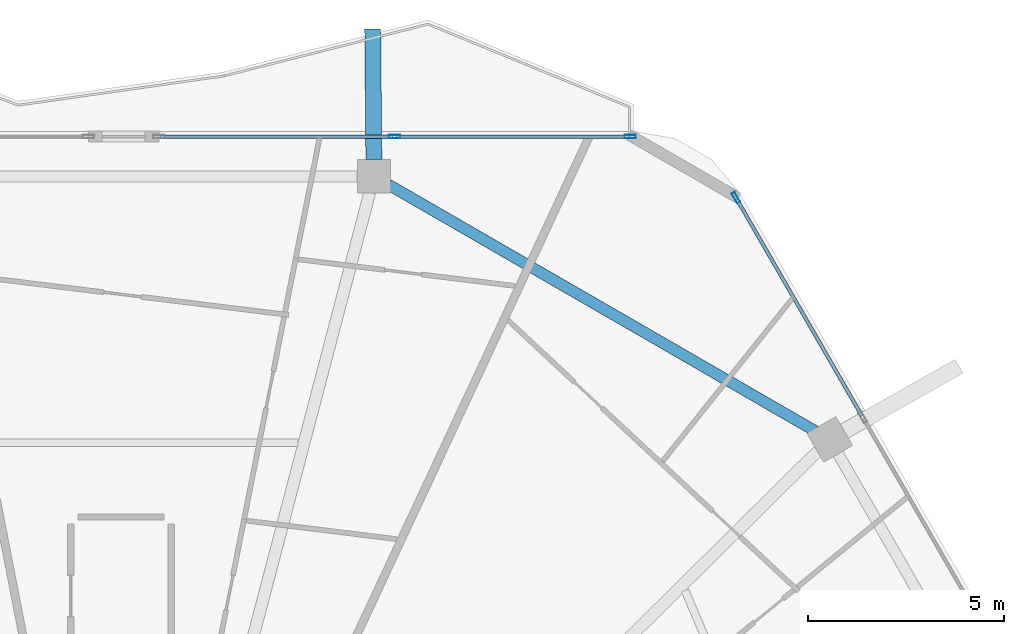
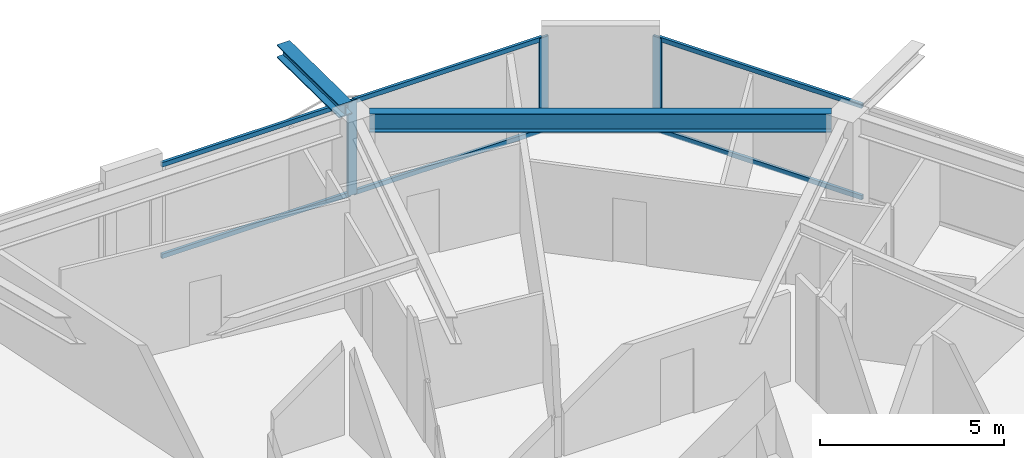
# One storey, part 17 of 27: 9 members, 2 beams, 2 elements without a shape of their own.
"""IFC4 building model written with IfcOpenShell, lengths in metres."""

from ifc_helpers import new_model, si_unit, direction, frame, origin, origin_2d, place, context, subcontext, project, spatial, hollow_rectangle, i_section, extrude, material, material_profile, profile_set, type_object, element, aggregate, save


model = new_model("IFC4")

# Units and contexts
model_context = context("Model", 3, precision=1e-05, world=origin(), true_north=direction((0.0, 1.0)))
body_context = subcontext(model_context, "Body", "Model", "MODEL_VIEW")
ifc_project = project(units=[si_unit("LENGTHUNIT", "METRE"), si_unit("AREAUNIT", "SQUARE_METRE"), si_unit("VOLUMEUNIT", "CUBIC_METRE"), si_unit("PLANEANGLEUNIT", "RADIAN"), si_unit("MASSUNIT", "GRAM", prefix="KILO")], contexts=[model_context])

# Site, building, storey
site_placement = place(None, origin())
site = spatial("IfcSite", under=ifc_project, at=site_placement, CompositionType="ELEMENT")
building_placement = place(site_placement, origin())
building = spatial("IfcBuilding", under=site, at=building_placement, Name="Zuhravey Tower", CompositionType="ELEMENT")
storey_placement = place(building_placement, frame((0.0, 0.0, 265.39990234375)))
storey = spatial("IfcBuildingStorey", under=building, at=storey_placement, Name="L67", CompositionType="ELEMENT", Elevation=265.39990234375)

# Curtain wall, members
ifc_material_1 = material(Name="Thermally broken anodised aluminium", Category="aluminium")
curtain_wall_type = type_object("IfcCurtainWallType", Name="Zone 3-4 High-Rise Curtain Wall CW4", PredefinedType="NOTDEFINED", material=ifc_material_1)
curtain_wall_1_placement = place(storey_placement, origin())
curtain_wall_1 = element("IfcCurtainWall", 1, at=curtain_wall_1_placement, inside=storey, type_object=curtain_wall_type, Name="L67 CW4 CW-L67-F2-2", PredefinedType="NOTDEFINED")
ifc_material_2 = material(Name="Anodised aluminium", Category="aluminium")
ifc_material_profile_1 = material_profile(ifc_material_2, hollow_rectangle(XDim=0.090087890625, YDim=0.284912109375, WallThickness=0.0048828125, at=origin_2d()), Name="ALU-RHS-90x285x5")
ifc_profile_set_1 = profile_set([ifc_material_profile_1], Name="Anodised aluminium")
member_type_1 = type_object("IfcMemberType", Name="Curtain-Wall Mullion 90x180", PredefinedType="MULLION", material=ifc_profile_set_1)
member_1_placement = place(storey_placement, frame((42.964599609375, 57.563720703125, 0.0), z_axis=(0.0, 0.0, 1.0), x_axis=(0.0, 1.0, 0.0)))
member_1 = element("IfcMember", 2, at=member_1_placement, type_object=member_type_1, Name="CW4 mullion 2", PredefinedType="MULLION", context=body_context, shape_type="SweptSolid", body=[
    extrude(hollow_rectangle(XDim=0.090087890625, YDim=0.284912109375, WallThickness=0.0048828125, at=origin_2d()), origin(), (0.0, 0.0, 1.0), 3.1220703125),
])
member_2_placement = place(storey_placement, frame((48.9677734375, 57.563720703125, 0.0), z_axis=(0.0, 0.0, 1.0), x_axis=(0.0, 1.0, 0.0)))
member_2 = element("IfcMember", 3, at=member_2_placement, type_object=member_type_1, Name="CW4 mullion 3", PredefinedType="MULLION", context=body_context, shape_type="SweptSolid", body=[
    extrude(hollow_rectangle(XDim=0.090087890625, YDim=0.284912109375, WallThickness=0.0048828125, at=origin_2d()), origin(), (0.0, 0.0, 1.0), 3.1220703125),
])

# Curtain wall, member
curtain_wall_2_placement = place(storey_placement, origin())
curtain_wall_2 = element("IfcCurtainWall", 4, at=curtain_wall_2_placement, inside=storey, type_object=curtain_wall_type, Name="L67 CW4 CW-L67-F1-1", PredefinedType="NOTDEFINED")
member_3_placement = place(storey_placement, frame((51.65478515625, 56.01220703125, 0.0), z_axis=(0.0, 0.0, 1.0), x_axis=(0.866024851021, 0.500000957414, 0.0)))
member_3 = element("IfcMember", 5, at=member_3_placement, type_object=member_type_1, Name="CW4 mullion 1", PredefinedType="MULLION", context=body_context, shape_type="SweptSolid", body=[
    extrude(hollow_rectangle(XDim=0.090087890625, YDim=0.284912109375, WallThickness=0.0048828125, at=origin_2d()), origin(), (0.0, 0.0, 1.0), 3.1220703125),
])

# Member
ifc_material_profile_2 = material_profile(ifc_material_2, hollow_rectangle(XDim=0.090087890625, YDim=0.14990234375, WallThickness=0.0048828125, at=origin_2d()), Name="ALU-RHS-90x150x5")
ifc_profile_set_2 = profile_set([ifc_material_profile_2], Name="Anodised aluminium")
member_type_2 = type_object("IfcMemberType", Name="Curtain-Wall Transom 90x150", PredefinedType="USERDEFINED", material=ifc_profile_set_2)
member_4_placement = place(storey_placement, frame((37.006591796875, 57.563720703125, 0.045166015625), z_axis=(1.0, 0.0, 0.0), x_axis=(0.0, 1.0, 0.0)))
member_4 = element("IfcMember", 6, at=member_4_placement, type_object=member_type_2, Name="CW4 transom 1.1", ObjectType="TRANSOM", PredefinedType="USERDEFINED", context=body_context, shape_type="SweptSolid", body=[
    extrude(hollow_rectangle(XDim=0.090087890625, YDim=0.14990234375, WallThickness=0.0048828125, at=origin_2d()), origin(), (0.0, 0.0, 1.0), 5.9130859375),
])

member_5_placement = place(storey_placement, frame((37.006591796875, 57.563720703125, 3.0771484375), z_axis=(1.0, 0.0, 0.0), x_axis=(0.0, 1.0, 0.0)))
member_5 = element("IfcMember", 7, at=member_5_placement, type_object=member_type_2, Name="CW4 transom 1.2", ObjectType="TRANSOM", PredefinedType="USERDEFINED", context=body_context, shape_type="SweptSolid", body=[
    extrude(hollow_rectangle(XDim=0.090087890625, YDim=0.14990234375, WallThickness=0.0048828125, at=origin_2d()), origin(), (0.0, 0.0, 1.0), 5.9130859375),
])

member_6_placement = place(storey_placement, frame((43.009521484375, 57.563720703125, 0.045166015625), z_axis=(1.0, 0.0, 0.0), x_axis=(0.0, 1.0, 0.0)))
member_6 = element("IfcMember", 8, at=member_6_placement, type_object=member_type_2, Name="CW4 transom 2.1", ObjectType="TRANSOM", PredefinedType="USERDEFINED", context=body_context, shape_type="SweptSolid", body=[
    extrude(hollow_rectangle(XDim=0.090087890625, YDim=0.14990234375, WallThickness=0.0048828125, at=origin_2d()), origin(), (0.0, 0.0, 1.0), 5.9130859375),
])

member_7_placement = place(storey_placement, frame((43.009521484375, 57.563720703125, 3.0771484375), z_axis=(1.0, 0.0, 0.0), x_axis=(0.0, 1.0, 0.0)))
member_7 = element("IfcMember", 9, at=member_7_placement, type_object=member_type_2, Name="CW4 transom 2.2", ObjectType="TRANSOM", PredefinedType="USERDEFINED", context=body_context, shape_type="SweptSolid", body=[
    extrude(hollow_rectangle(XDim=0.090087890625, YDim=0.14990234375, WallThickness=0.0048828125, at=origin_2d()), origin(), (0.0, 0.0, 1.0), 5.9130859375),
])

aggregate(curtain_wall_1, [member_1, member_2, member_4, member_5, member_6, member_7])

member_8_placement = place(storey_placement, frame((51.677490234375, 55.97314453125, 0.045166015625), z_axis=(0.499980071345, -0.866036909293, 0.0), x_axis=(0.866036909293, 0.499980071345, 0.0)))
member_8 = element("IfcMember", 10, at=member_8_placement, type_object=member_type_2, Name="CW4 transom 1.1", ObjectType="TRANSOM", PredefinedType="USERDEFINED", context=body_context, shape_type="SweptSolid", body=[
    extrude(hollow_rectangle(XDim=0.090087890625, YDim=0.14990234375, WallThickness=0.0048828125, at=origin_2d()), origin(), (0.0, 0.0, 1.0), 6.371337890625),
])

member_9_placement = place(storey_placement, frame((51.677490234375, 55.97314453125, 3.0771484375), z_axis=(0.499980071345, -0.866036909293, 0.0), x_axis=(0.866036909293, 0.499980071345, 0.0)))
member_9 = element("IfcMember", 11, at=member_9_placement, type_object=member_type_2, Name="CW4 transom 1.2", ObjectType="TRANSOM", PredefinedType="USERDEFINED", context=body_context, shape_type="SweptSolid", body=[
    extrude(hollow_rectangle(XDim=0.090087890625, YDim=0.14990234375, WallThickness=0.0048828125, at=origin_2d()), origin(), (0.0, 0.0, 1.0), 6.371337890625),
])

aggregate(curtain_wall_2, [member_3, member_8, member_9])

# Beams
ifc_material_3 = material(Name="Steel SM460", Category="steel")
ifc_material_profile_3 = material_profile(ifc_material_3, i_section(OverallWidth=0.406982421875, OverallDepth=0.427978515625, WebThickness=0.02001953125, FlangeThickness=0.034912109375, at=origin_2d()), Name="H-428x407x20x35")
ifc_profile_set_3 = profile_set([ifc_material_profile_3], Name="Steel SM460")
beam_type_1 = type_object("IfcBeamType", Name="Exoskeleton Node Tie Beam H428x407", PredefinedType="BEAM", material=ifc_profile_set_3)
beam_1_placement = place(storey_placement, frame((42.43701171875, 56.982666015625, 3.336181640625), z_axis=(-0.00880829074, 0.999961206255, 0.0), x_axis=(-0.999961206255, -0.00880829074, 0.0)))
element("IfcBeam", 12, at=beam_1_placement, inside=storey, type_object=beam_type_1, Name="L67 Exoskeleton Node Tie NT1-03", PredefinedType="BEAM", context=body_context, shape_type="SweptSolid", body=[
    extrude(i_section(OverallWidth=0.406982421875, OverallDepth=0.427978515625, WebThickness=0.02001953125, FlangeThickness=0.034912109375, at=origin_2d()), origin(), (0.0, 0.0, 1.0), 3.326171875),
])
ifc_material_4 = material(Name="Steel SM355", Category="steel")
ifc_material_profile_4 = material_profile(ifc_material_4, i_section(OverallWidth=0.280029296875, OverallDepth=0.6201171875, WebThickness=0.011962890625, FlangeThickness=0.02001953125, at=origin_2d()), Name="H-620x280x12x20")
ifc_profile_set_4 = profile_set([ifc_material_profile_4], Name="Steel SM355")
beam_type_2 = type_object("IfcBeamType", Name="Perimeter Ring Beam H620x280", PredefinedType="BEAM", material=ifc_profile_set_4)
beam_2_placement = place(storey_placement, frame((53.6728515625, 50.068603515625, 3.239990234375), z_axis=(-0.866018312875, 0.500012281615, 0.0), x_axis=(-0.500012281615, -0.866018312875, 0.0)))
element("IfcBeam", 13, at=beam_2_placement, inside=storey, type_object=beam_type_2, Name="L67 PB3 BM-L67-PB-02", PredefinedType="BEAM", context=body_context, shape_type="SweptSolid", body=[
    extrude(i_section(OverallWidth=0.280029296875, OverallDepth=0.6201171875, WebThickness=0.011962890625, FlangeThickness=0.02001953125, at=origin_2d()), origin(), (0.0, 0.0, 1.0), 12.541748046875),
])

save(model, "model.ifc")
